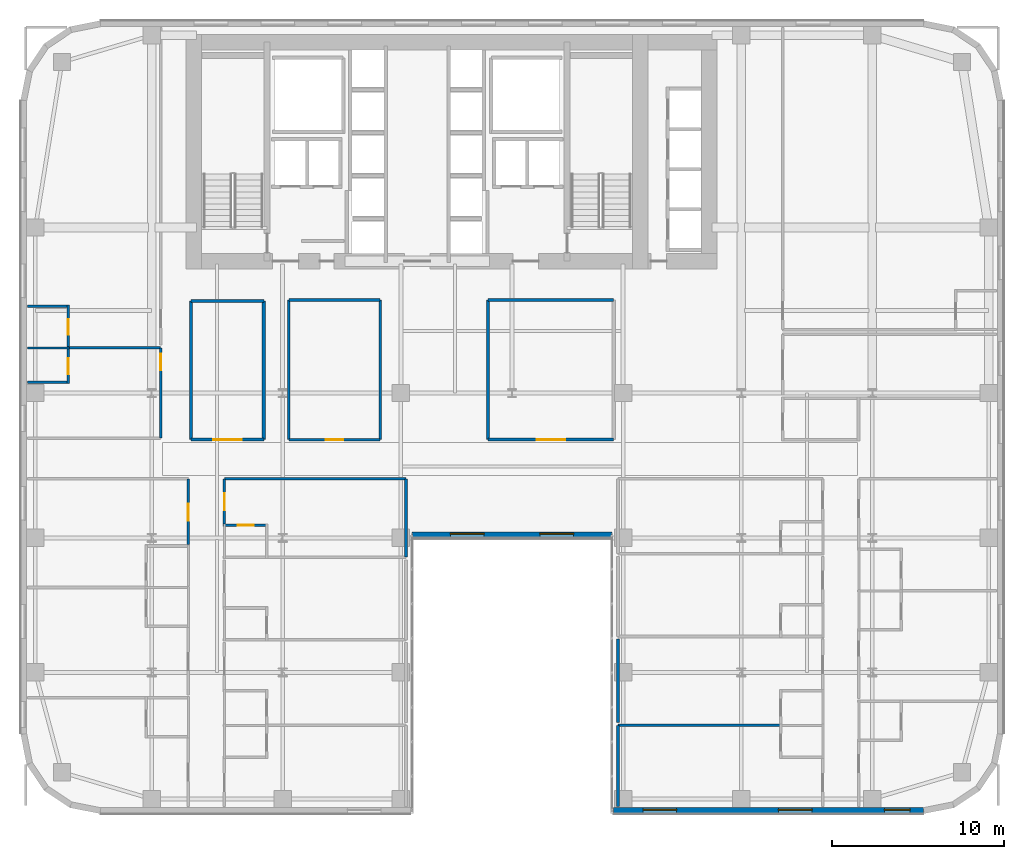
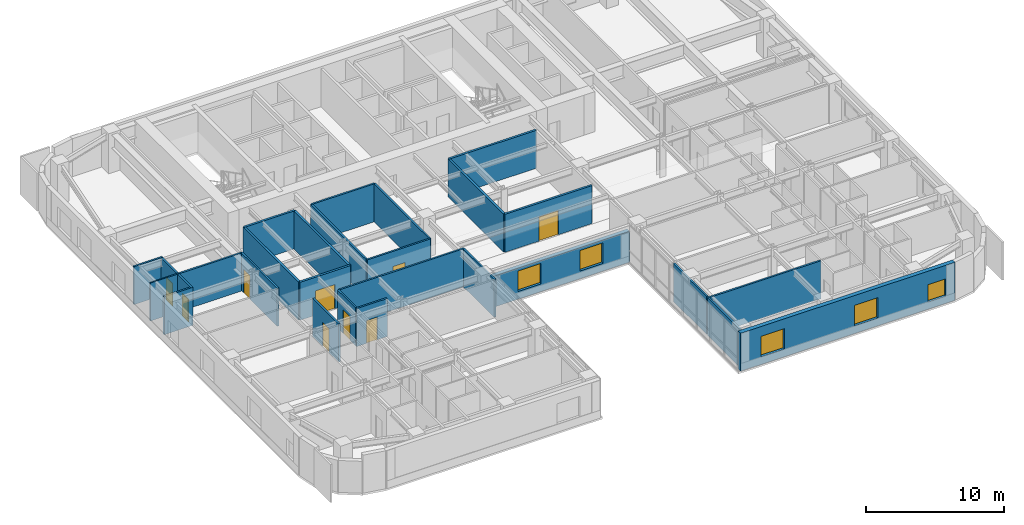
# One storey, part 15 of 25: 28 walls, 9 doors, 5 windows, 14 openings.
"""IFC4 building model written with IfcOpenShell, lengths in metres."""

from ifc_helpers import new_model, si_unit, direction, frame, frame_2d, origin, place, context, subcontext, project, spatial, rectangle, extrude, source, transform, mapped, material, layer, layer_set, type_object, type_shapes, element, fill, save


model = new_model("IFC4")

# Units and contexts
model_context = context("Model", 3, precision=1e-05, world=origin(), true_north=direction((0.0, 1.0)))
body_context = subcontext(model_context, "Body", "Model", "MODEL_VIEW")
ifc_project = project(units=[si_unit("LENGTHUNIT", "METRE"), si_unit("AREAUNIT", "SQUARE_METRE"), si_unit("VOLUMEUNIT", "CUBIC_METRE"), si_unit("PLANEANGLEUNIT", "RADIAN"), si_unit("MASSUNIT", "GRAM", prefix="KILO")], contexts=[model_context])

# Site, building, storey
site_placement = place(None, origin())
site = spatial("IfcSite", under=ifc_project, at=site_placement, CompositionType="ELEMENT")
building_placement = place(site_placement, origin())
building = spatial("IfcBuilding", under=site, at=building_placement, Name="Tolvann Quenvar Hotel", CompositionType="ELEMENT")
storey_placement = place(building_placement, frame((0.0, 0.0, 46.199951171875)))
storey = spatial("IfcBuildingStorey", under=building, at=storey_placement, Name="L10", CompositionType="ELEMENT", Elevation=46.199951171875)

# Wall, openings, windows
ifc_material_1 = material(Name="Kiln-fired red and buff architectural clay brickwork and terracotta masonry", Category="masonry")
ifc_layer_1 = layer(ifc_material_1, 0.35009765625)
ifc_layer_set_1 = layer_set([ifc_layer_1], Name="Kiln-fired red and buff architectural clay brickwork and terracotta masonry")
wall_type_1 = type_object("IfcWallType", Name="WALL_EXT_BRICK_350", PredefinedType="SOLIDWALL", material=ifc_layer_set_1)
wall_1_placement = place(storey_placement, frame((22.7099609375, 16.175048828125, 0.0), z_axis=(0.0, 0.0, 1.0), x_axis=(1.0, 0.0, 0.0)))
wall_1 = element("IfcWall", 1, at=wall_1_placement, inside=storey, type_object=wall_type_1, Name="Exterior Chicago Brick Wall L10-E06", PredefinedType="SOLIDWALL", context=body_context, shape_type="SweptSolid", body=[
    extrude(rectangle(XDim=11.580078125, YDim=0.35009765625, at=frame_2d((5.7900390625, 0.0))), origin(), (0.0, 0.0, 1.0), 2.748046875),
])
opening_1_placement = place(wall_1_placement, frame((2.219970703125, 0.0, 0.679931640625)))
opening_1 = element("IfcOpeningElement", 2, at=opening_1_placement, cuts=wall_1, Name="Opening W-10", PredefinedType="OPENING", context=body_context, shape_type="SweptSolid", body=[
    extrude(rectangle(XDim=1.949951171875, YDim=1.820068359375, at=frame_2d((0.97509765625, 0.91015625))), frame((0.0, 0.18505859375, 0.0), z_axis=(0.0, -1.0, 0.0), x_axis=(1.0, 0.0, 0.0)), (0.0, 0.0, 1.0), 0.3701171875),
])
opening_2_placement = place(wall_1_placement, frame((7.409912109375, 0.0, 0.679931640625)))
opening_2 = element("IfcOpeningElement", 3, at=opening_2_placement, cuts=wall_1, Name="Opening W-10", PredefinedType="OPENING", context=body_context, shape_type="SweptSolid", body=[
    extrude(rectangle(XDim=1.949951171875, YDim=1.820068359375, at=frame_2d((0.97509765625, 0.91015625))), frame((0.0, 0.18505859375, 0.0), z_axis=(0.0, -1.0, 0.0), x_axis=(1.0, 0.0, 0.0)), (0.0, 0.0, 1.0), 0.3701171875),
])
ifc_material_2 = material(Name="Thermally broken bronze-anodised aluminium frame with double low-E glazing", Category="aluminium")
window_type_1 = type_object("IfcWindowType", Name="WIN_CLB_1950x1850", PartitioningType="DOUBLE_PANEL_VERTICAL", PredefinedType="WINDOW", material=ifc_material_2)
shared_shape_1 = source(origin(), body_context, "Body", "SweptSolid", [
    extrude(rectangle(XDim=1.949951171875, YDim=1.820068359375, at=frame_2d((0.97509765625, 0.91015625))), frame((0.0, 0.090087890625, 0.0), z_axis=(0.0, -1.0, 0.0), x_axis=(1.0, 0.0, 0.0)), (0.0, 0.0, 1.0), 0.06005859375),
])
type_shapes(window_type_1, [shared_shape_1])
window_1_placement = place(opening_1_placement, origin())
window_1 = element("IfcWindow", 4, at=window_1_placement, inside=storey, type_object=window_type_1, Name="Chicago Window W-10 (EW-L10-E06-W01)", OverallHeight=1.820068359375, OverallWidth=1.949951171875, PartitioningType="DOUBLE_PANEL_VERTICAL", PredefinedType="WINDOW", context=body_context, shape_type="MappedRepresentation", body=[
    mapped(shared_shape_1, transform((0.0, 0.0, 0.0), x_axis=(1.0, 0.0, 0.0), y_axis=(0.0, 1.0, 0.0), z_axis=(0.0, 0.0, 1.0), scale=1.0)),
])
fill(opening_1, window_1)
window_2_placement = place(opening_2_placement, origin())
window_2 = element("IfcWindow", 5, at=window_2_placement, inside=storey, type_object=window_type_1, Name="Chicago Window W-10 (EW-L10-E06-W02)", OverallHeight=1.820068359375, OverallWidth=1.949951171875, PartitioningType="DOUBLE_PANEL_VERTICAL", PredefinedType="WINDOW", context=body_context, shape_type="MappedRepresentation", body=[
    mapped(shared_shape_1, transform((0.0, 0.0, 0.0), x_axis=(1.0, 0.0, 0.0), y_axis=(0.0, 1.0, 0.0), z_axis=(0.0, 0.0, 1.0), scale=1.0)),
])
fill(opening_2, window_2)

wall_2_placement = place(storey_placement, frame((34.375, 0.175048828125, 0.0), z_axis=(0.0, 0.0, 1.0), x_axis=(1.0, 0.0, 0.0)))
wall_2 = element("IfcWall", 6, at=wall_2_placement, inside=storey, type_object=wall_type_1, Name="Exterior Chicago Brick Wall L10-E08", PredefinedType="SOLIDWALL", context=body_context, shape_type="SweptSolid", body=[
    extrude(rectangle(XDim=18.0078125, YDim=0.35009765625, at=frame_2d((9.00390625, 0.0))), origin(), (0.0, 0.0, 1.0), 3.3701171875),
])
opening_3_placement = place(wall_2_placement, frame((1.72607421875, 0.0, 0.679931640625)))
opening_3 = element("IfcOpeningElement", 7, at=opening_3_placement, cuts=wall_2, Name="Opening W-10", PredefinedType="OPENING", context=body_context, shape_type="SweptSolid", body=[
    extrude(rectangle(XDim=1.949951171875, YDim=1.820068359375, at=frame_2d((0.97509765625, 0.91015625))), frame((0.0, 0.18505859375, 0.0), z_axis=(0.0, -1.0, 0.0), x_axis=(1.0, 0.0, 0.0)), (0.0, 0.0, 1.0), 0.3701171875),
])
opening_4_placement = place(wall_2_placement, frame((9.580078125, 0.0, 0.679931640625)))
opening_4 = element("IfcOpeningElement", 8, at=opening_4_placement, cuts=wall_2, Name="Opening W-10", PredefinedType="OPENING", context=body_context, shape_type="SweptSolid", body=[
    extrude(rectangle(XDim=1.949951171875, YDim=1.820068359375, at=frame_2d((0.97509765625, 0.91015625))), frame((0.0, 0.18505859375, 0.0), z_axis=(0.0, -1.0, 0.0), x_axis=(1.0, 0.0, 0.0)), (0.0, 0.0, 1.0), 0.3701171875),
])
opening_5_placement = place(wall_2_placement, frame((15.72509765625, 0.0, 0.6201171875)))
opening_5 = element("IfcOpeningElement", 9, at=opening_5_placement, cuts=wall_2, Name="Opening W-08", PredefinedType="OPENING", context=body_context, shape_type="SweptSolid", body=[
    extrude(rectangle(XDim=1.5, YDim=1.550048828125, at=frame_2d((0.75, 0.77490234375))), frame((0.0, 0.18505859375, 0.0), z_axis=(0.0, -1.0, 0.0), x_axis=(1.0, 0.0, 0.0)), (0.0, 0.0, 1.0), 0.3701171875),
])
window_type_2 = type_object("IfcWindowType", Name="WIN_COR_1500x2050", PartitioningType="SINGLE_PANEL", PredefinedType="WINDOW", material=ifc_material_2)
shared_shape_2 = source(origin(), body_context, "Body", "SweptSolid", [
    extrude(rectangle(XDim=1.5, YDim=1.550048828125, at=frame_2d((0.75, 0.77490234375))), frame((0.0, 0.090087890625, 0.0), z_axis=(0.0, -1.0, 0.0), x_axis=(1.0, 0.0, 0.0)), (0.0, 0.0, 1.0), 0.06005859375),
])
type_shapes(window_type_2, [shared_shape_2])
window_3_placement = place(opening_5_placement, origin())
window_3 = element("IfcWindow", 10, at=window_3_placement, inside=storey, type_object=window_type_2, Name="Chicago Window W-08 (EW-L10-E08-WD03)", OverallHeight=1.550048828125, OverallWidth=1.5, PartitioningType="SINGLE_PANEL", PredefinedType="WINDOW", context=body_context, shape_type="MappedRepresentation", body=[
    mapped(shared_shape_2, transform((0.0, 0.0, 0.0), x_axis=(1.0, 0.0, 0.0), y_axis=(0.0, 1.0, 0.0), z_axis=(0.0, 0.0, 1.0), scale=1.0)),
])
fill(opening_5, window_3)
window_4_placement = place(opening_3_placement, origin())
window_4 = element("IfcWindow", 11, at=window_4_placement, inside=storey, type_object=window_type_1, Name="Chicago Window W-10 (EW-L10-E08-W01)", OverallHeight=1.820068359375, OverallWidth=1.949951171875, PartitioningType="DOUBLE_PANEL_VERTICAL", PredefinedType="WINDOW", context=body_context, shape_type="MappedRepresentation", body=[
    mapped(shared_shape_1, transform((0.0, 0.0, 0.0), x_axis=(1.0, 0.0, 0.0), y_axis=(0.0, 1.0, 0.0), z_axis=(0.0, 0.0, 1.0), scale=1.0)),
])
fill(opening_3, window_4)
window_5_placement = place(opening_4_placement, origin())
window_5 = element("IfcWindow", 12, at=window_5_placement, inside=storey, type_object=window_type_1, Name="Chicago Window W-10 (EW-L10-E08-W02)", OverallHeight=1.820068359375, OverallWidth=1.949951171875, PartitioningType="DOUBLE_PANEL_VERTICAL", PredefinedType="WINDOW", context=body_context, shape_type="MappedRepresentation", body=[
    mapped(shared_shape_1, transform((0.0, 0.0, 0.0), x_axis=(1.0, 0.0, 0.0), y_axis=(0.0, 1.0, 0.0), z_axis=(0.0, 0.0, 1.0), scale=1.0)),
])
fill(opening_4, window_5)

# Wall, opening, door
ifc_material_3 = material(Name="Acoustic twin-stud fire-rated gypsum plasterboard partition")
ifc_layer_2 = layer(ifc_material_3, 0.179931640625)
ifc_layer_set_2 = layer_set([ifc_layer_2], Name="Acoustic twin-stud fire-rated gypsum plasterboard partition")
wall_type_2 = type_object("IfcWallType", Name="WALL_PART_ACOUSTIC_180", PredefinedType="PARTITIONING", material=ifc_layer_set_2)
wall_3_placement = place(storey_placement, frame((9.8798828125, 21.699951171875, 0.0), z_axis=(0.0, 0.0, 1.0), x_axis=(1.0, 0.0, 0.0)))
wall_3 = element("IfcWall", 13, at=wall_3_placement, inside=storey, type_object=wall_type_2, Name="Interior Partition PT-SPC-L10-MSP-W-S", PredefinedType="PARTITIONING", context=body_context, shape_type="SweptSolid", body=[
    extrude(rectangle(XDim=4.22021484375, YDim=0.179931640625, at=frame_2d((2.110107421875, 0.0))), origin(), (0.0, 0.0, 1.0), 3.3701171875),
])
opening_6_placement = place(wall_3_placement, frame((1.284912109375, 0.0, 0.0)))
opening_6 = element("IfcOpeningElement", 14, at=opening_6_placement, cuts=wall_3, Name="Opening AD-01", PredefinedType="OPENING", context=body_context, shape_type="SweptSolid", body=[
    extrude(rectangle(XDim=1.64990234375, YDim=2.14990234375, at=frame_2d((0.824951171875, 1.074951171875))), frame((0.0, 0.10009765625, 0.0), z_axis=(0.0, -1.0, 0.0), x_axis=(1.0, 0.0, 0.0)), (0.0, 0.0, 1.0), 0.199951171875),
])
ifc_material_4 = material(Name="Solid-core American oak acoustic fire door leaf in steel frame", Category="steel")
door_type_1 = type_object("IfcDoorType", Name="DOOR_SALON_1650", OperationType="NOTDEFINED", PredefinedType="DOOR", material=ifc_material_4)
shared_shape_3 = source(origin(), body_context, "Body", "SweptSolid", [
    extrude(rectangle(XDim=1.64990234375, YDim=2.14990234375, at=frame_2d((0.824951171875, 1.074951171875))), frame((0.0, 0.02490234375, 0.0), z_axis=(0.0, -1.0, 0.0), x_axis=(1.0, 0.0, 0.0)), (0.0, 0.0, 1.0), 0.050048828125),
])
type_shapes(door_type_1, [shared_shape_3])
door_1_placement = place(opening_6_placement, origin())
door_1 = element("IfcDoor", 15, at=door_1_placement, inside=storey, type_object=door_type_1, Name="Interior Door DOOR-SPC-L10-MSP-W", OperationType="DOUBLE_DOOR_SINGLE_SWING", OverallHeight=2.14990234375, OverallWidth=1.64990234375, PredefinedType="DOOR", context=body_context, shape_type="MappedRepresentation", body=[
    mapped(shared_shape_3, transform((0.0, 0.0, 0.0), x_axis=(1.0, 0.0, 0.0), y_axis=(0.0, 1.0, 0.0), z_axis=(0.0, 0.0, 1.0), scale=1.0)),
])
fill(opening_6, door_1)

# Walls
wall_4_placement = place(storey_placement, frame((9.8798828125, 29.75, 0.0), z_axis=(0.0, 0.0, 1.0), x_axis=(1.0, 0.0, 0.0)))
element("IfcWall", 16, at=wall_4_placement, inside=storey, type_object=wall_type_2, Name="Interior Partition PT-SPC-L10-MSP-W-N", PredefinedType="PARTITIONING", context=body_context, shape_type="SweptSolid", body=[
    extrude(rectangle(XDim=4.22021484375, YDim=0.179931640625, at=frame_2d((2.110107421875, 0.0))), origin(), (0.0, 0.0, 1.0), 3.3701171875),
])
for number, where, z_axis, x_axis, name in (
    (17, (9.8798828125, 21.699951171875, 0.0), (0.0, 0.0, 1.0), (0.0, 1.0, 0.0), "Interior Partition PT-SPC-L10-MSP-W-W"),
    (18, (14.10009765625, 21.699951171875, 0.0), (0.0, 0.0, 1.0), (0.0, 1.0, 0.0), "Interior Partition PT-SPC-L10-MSP-W-E"),
):
    element("IfcWall", number, at=place(storey_placement, frame(where, z_axis=z_axis, x_axis=x_axis)), inside=storey, type_object=wall_type_2, Name=name, PredefinedType="PARTITIONING", context=body_context, shape_type="SweptSolid", body=[
        extrude(rectangle(XDim=8.050048828125, YDim=0.179931640625, at=frame_2d((4.02490234375, 0.0))), origin(), (0.0, 0.0, 1.0), 3.3701171875),
    ])

# Wall, opening, door
wall_5_placement = place(storey_placement, frame((27.10009765625, 21.699951171875, 0.0), z_axis=(0.0, 0.0, 1.0), x_axis=(1.0, 0.0, 0.0)))
wall_5 = element("IfcWall", 19, at=wall_5_placement, inside=storey, type_object=wall_type_2, Name="Interior Partition PT-SPC-L10-MSP-C-S", PredefinedType="PARTITIONING", context=body_context, shape_type="SweptSolid", body=[
    extrude(rectangle(XDim=7.2998046875, YDim=0.179931640625, at=frame_2d((3.64990234375, 0.0))), origin(), (0.0, 0.0, 1.0), 3.3701171875),
])
opening_7_placement = place(wall_5_placement, frame((2.824951171875, 0.0, 0.0)))
opening_7 = element("IfcOpeningElement", 20, at=opening_7_placement, cuts=wall_5, Name="Opening AD-01", PredefinedType="OPENING", context=body_context, shape_type="SweptSolid", body=[
    extrude(rectangle(XDim=1.64990234375, YDim=2.14990234375, at=frame_2d((0.824951171875, 1.074951171875))), frame((0.0, 0.10009765625, 0.0), z_axis=(0.0, -1.0, 0.0), x_axis=(1.0, 0.0, 0.0)), (0.0, 0.0, 1.0), 0.199951171875),
])
door_2_placement = place(opening_7_placement, origin())
door_2 = element("IfcDoor", 21, at=door_2_placement, inside=storey, type_object=door_type_1, Name="Interior Door DOOR-SPC-L10-MSP-C", OperationType="DOUBLE_DOOR_SINGLE_SWING", OverallHeight=2.14990234375, OverallWidth=1.64990234375, PredefinedType="DOOR", context=body_context, shape_type="MappedRepresentation", body=[
    mapped(shared_shape_3, transform((0.0, 0.0, 0.0), x_axis=(1.0, 0.0, 0.0), y_axis=(0.0, 1.0, 0.0), z_axis=(0.0, 0.0, 1.0), scale=1.0)),
])
fill(opening_7, door_2)

# Walls
wall_6_placement = place(storey_placement, frame((27.10009765625, 29.800048828125, 0.0), z_axis=(0.0, 0.0, 1.0), x_axis=(1.0, 0.0, 0.0)))
element("IfcWall", 22, at=wall_6_placement, inside=storey, type_object=wall_type_2, Name="Interior Partition PT-SPC-L10-MSP-C-N", PredefinedType="PARTITIONING", context=body_context, shape_type="SweptSolid", body=[
    extrude(rectangle(XDim=7.2998046875, YDim=0.179931640625, at=frame_2d((3.64990234375, 0.0))), origin(), (0.0, 0.0, 1.0), 3.3701171875),
])
wall_7_placement = place(storey_placement, frame((27.10009765625, 21.699951171875, 0.0), z_axis=(0.0, 0.0, 1.0), x_axis=(0.0, 1.0, 0.0)))
element("IfcWall", 23, at=wall_7_placement, inside=storey, type_object=wall_type_2, Name="Interior Partition PT-SPC-L10-MSP-C-W", PredefinedType="PARTITIONING", context=body_context, shape_type="SweptSolid", body=[
    extrude(rectangle(XDim=8.10009765625, YDim=0.179931640625, at=frame_2d((4.050048828125, 0.0))), origin(), (0.0, 0.0, 1.0), 3.3701171875),
])
ifc_material_5 = material(Name="Moisture-resistant acoustic plumbing wall assembly")
ifc_layer_3 = layer(ifc_material_5, 0.1201171875)
ifc_layer_set_3 = layer_set([ifc_layer_3], Name="Moisture-resistant acoustic plumbing wall assembly")
wall_type_3 = type_object("IfcWallType", Name="WALL_PART_BATH_120", PredefinedType="PLUMBINGWALL", material=ifc_layer_set_3)
wall_8_placement = place(storey_placement, frame((0.405029296875, 27.02001953125, 0.0), z_axis=(0.0, 0.0, 1.0), x_axis=(1.0, 0.0, 0.0)))
element("IfcWall", 24, at=wall_8_placement, inside=storey, type_object=wall_type_3, Name="Non-Rated Plumbing Partition PT-SPC-L10-ENS-NW01-N", PredefinedType="PLUMBINGWALL", context=body_context, shape_type="SweptSolid", body=[
    extrude(rectangle(XDim=2.4150390625, YDim=0.1201171875, at=frame_2d((1.20751953125, 0.0))), origin(), (0.0, 0.0, 1.0), 3.3701171875),
])

# Wall, opening, door
ifc_layer_4 = layer(ifc_material_3, 0.14990234375)
ifc_layer_set_4 = layer_set([ifc_layer_4], Name="Acoustic twin-stud fire-rated gypsum plasterboard partition")
wall_type_4 = type_object("IfcWallType", Name="WALL_PART_SUITE_150", PredefinedType="PARTITIONING", material=ifc_layer_set_4)
wall_9_placement = place(storey_placement, frame((11.75, 16.72998046875, 0.0), z_axis=(0.0, 0.0, 1.0), x_axis=(1.0, 0.0, 0.0)))
wall_9 = element("IfcWall", 25, at=wall_9_placement, inside=storey, type_object=wall_type_4, Name="Interior Partition PT-SPC-L10-ENS-WI04-N", PredefinedType="PARTITIONING", context=body_context, shape_type="SweptSolid", body=[
    extrude(rectangle(XDim=2.590087890625, YDim=0.14990234375, at=frame_2d((1.294921875, 0.0))), origin(), (0.0, 0.0, 1.0), 3.3701171875),
])
opening_8_placement = place(wall_9_placement, frame((0.8349609375, 0.0, 0.0)))
opening_8 = element("IfcOpeningElement", 26, at=opening_8_placement, cuts=wall_9, Name="Opening WD-01", PredefinedType="OPENING", context=body_context, shape_type="SweptSolid", body=[
    extrude(rectangle(XDim=0.919921875, YDim=2.010009765625, at=frame_2d((0.4599609375, 1.0048828125))), frame((0.0, 0.0849609375, 0.0), z_axis=(0.0, -1.0, 0.0), x_axis=(1.0, 0.0, 0.0)), (0.0, 0.0, 1.0), 0.169921875),
])
door_type_2 = type_object("IfcDoorType", Name="DOOR_WC_920", OperationType="NOTDEFINED", PredefinedType="DOOR", material=ifc_material_4)
shared_shape_4 = source(origin(), body_context, "Body", "SweptSolid", [
    extrude(rectangle(XDim=0.919921875, YDim=2.010009765625, at=frame_2d((0.4599609375, 1.0048828125))), frame((0.0, 0.02490234375, 0.0), z_axis=(0.0, -1.0, 0.0), x_axis=(1.0, 0.0, 0.0)), (0.0, 0.0, 1.0), 0.050048828125),
])
type_shapes(door_type_2, [shared_shape_4])
door_3_placement = place(opening_8_placement, origin())
door_3 = element("IfcDoor", 27, at=door_3_placement, inside=storey, type_object=door_type_2, Name="Interior Door DOOR-SPC-L10-ENS-WI04", OperationType="SINGLE_SWING_RIGHT", OverallHeight=2.010009765625, OverallWidth=0.919921875, PredefinedType="DOOR", context=body_context, shape_type="MappedRepresentation", body=[
    mapped(shared_shape_4, transform((0.0, 0.0, 0.0), x_axis=(1.0, 0.0, 0.0), y_axis=(0.0, 1.0, 0.0), z_axis=(0.0, 0.0, 1.0), scale=1.0)),
])
fill(opening_8, door_3)

wall_10_placement = place(storey_placement, frame((2.75, 24.958984375, 0.0), z_axis=(0.0, 0.0, 1.0), x_axis=(0.0, 1.0, 0.0)))
wall_10 = element("IfcWall", 28, at=wall_10_placement, inside=storey, type_object=wall_type_4, Name="Interior Partition PT-SPC-L10-ENS-NW01-ENT", PredefinedType="PARTITIONING", context=body_context, shape_type="SweptSolid", body=[
    extrude(rectangle(XDim=2.131103515625, YDim=0.14990234375, at=frame_2d((1.0654296875, 0.0))), origin(), (0.0, 0.0, 1.0), 3.3701171875),
])
opening_9_placement = place(wall_10_placement, frame((0.535400390625, 0.0, 0.0)))
opening_9 = element("IfcOpeningElement", 29, at=opening_9_placement, cuts=wall_10, Name="Opening WD-01", PredefinedType="OPENING", context=body_context, shape_type="SweptSolid", body=[
    extrude(rectangle(XDim=0.919921875, YDim=2.010009765625, at=frame_2d((0.4599609375, 1.0048828125))), frame((0.0, 0.0849609375, 0.0), z_axis=(0.0, -1.0, 0.0), x_axis=(1.0, 0.0, 0.0)), (0.0, 0.0, 1.0), 0.169921875),
])
door_4_placement = place(opening_9_placement, origin())
door_4 = element("IfcDoor", 30, at=door_4_placement, inside=storey, type_object=door_type_2, Name="Interior Door DOOR-SPC-L10-ENS-NW01", OperationType="SINGLE_SWING_RIGHT", OverallHeight=2.010009765625, OverallWidth=0.919921875, PredefinedType="DOOR", context=body_context, shape_type="MappedRepresentation", body=[
    mapped(shared_shape_4, transform((0.0, 0.0, 0.0), x_axis=(1.0, 0.0, 0.0), y_axis=(0.0, 1.0, 0.0), z_axis=(0.0, 0.0, 1.0), scale=1.0)),
])
fill(opening_9, door_4)

# Wall
wall_11_placement = place(storey_placement, frame((0.405029296875, 25.029052734375, 0.0), z_axis=(0.0, 0.0, 1.0), x_axis=(1.0, 0.0, 0.0)))
element("IfcWall", 31, at=wall_11_placement, inside=storey, type_object=wall_type_4, Name="Interior Partition PT-SPC-L10-ENS-NW01-S", PredefinedType="PARTITIONING", context=body_context, shape_type="SweptSolid", body=[
    extrude(rectangle(XDim=2.4150390625, YDim=0.14990234375, at=frame_2d((1.20751953125, 0.0))), origin(), (0.0, 0.0, 1.0), 3.3701171875),
])

# Wall, opening, door
wall_12_placement = place(storey_placement, frame((2.75, 27.110107421875, 0.0), z_axis=(0.0, 0.0, 1.0), x_axis=(0.0, 1.0, 0.0)))
wall_12 = element("IfcWall", 32, at=wall_12_placement, inside=storey, type_object=wall_type_4, Name="Interior Partition PT-SPC-L10-ENS-NW02-ENT", PredefinedType="PARTITIONING", context=body_context, shape_type="SweptSolid", body=[
    extrude(rectangle(XDim=2.389892578125, YDim=0.14990234375, at=frame_2d((1.19482421875, 0.0))), origin(), (0.0, 0.0, 1.0), 3.3701171875),
])
opening_10_placement = place(wall_12_placement, frame((0.6650390625, 0.0, 0.0)))
opening_10 = element("IfcOpeningElement", 33, at=opening_10_placement, cuts=wall_12, Name="Opening WD-01", PredefinedType="OPENING", context=body_context, shape_type="SweptSolid", body=[
    extrude(rectangle(XDim=0.919921875, YDim=2.010009765625, at=frame_2d((0.4599609375, 1.0048828125))), frame((0.0, 0.0849609375, 0.0), z_axis=(0.0, -1.0, 0.0), x_axis=(1.0, 0.0, 0.0)), (0.0, 0.0, 1.0), 0.169921875),
])
door_5_placement = place(opening_10_placement, origin())
door_5 = element("IfcDoor", 34, at=door_5_placement, inside=storey, type_object=door_type_2, Name="Interior Door DOOR-SPC-L10-ENS-NW02", OperationType="SINGLE_SWING_LEFT", OverallHeight=2.010009765625, OverallWidth=0.919921875, PredefinedType="DOOR", context=body_context, shape_type="MappedRepresentation", body=[
    mapped(shared_shape_4, transform((0.0, 0.0, 0.0), x_axis=(1.0, 0.0, 0.0), y_axis=(0.0, 1.0, 0.0), z_axis=(0.0, 0.0, 1.0), scale=1.0)),
])
fill(opening_10, door_5)

# Wall
wall_13_placement = place(storey_placement, frame((0.405029296875, 29.429931640625, 0.0), z_axis=(0.0, 0.0, 1.0), x_axis=(1.0, 0.0, 0.0)))
element("IfcWall", 35, at=wall_13_placement, inside=storey, type_object=wall_type_4, Name="Interior Partition PT-SPC-L10-ENS-NW02-N", PredefinedType="PARTITIONING", context=body_context, shape_type="SweptSolid", body=[
    extrude(rectangle(XDim=2.4150390625, YDim=0.14990234375, at=frame_2d((1.20751953125, 0.0))), origin(), (0.0, 0.0, 1.0), 3.3701171875),
])

# Wall, opening, door
wall_14_placement = place(storey_placement, frame((9.72998046875, 15.610107421875, 0.0), z_axis=(0.0, 0.0, 1.0), x_axis=(0.0, 1.0, 0.0)))
wall_14 = element("IfcWall", 36, at=wall_14_placement, inside=storey, type_object=wall_type_4, Name="Interior Partition PT-SPC-L10-RM-WO03-ENT", PredefinedType="PARTITIONING", context=body_context, shape_type="SweptSolid", body=[
    extrude(rectangle(XDim=3.809814453125, YDim=0.14990234375, at=frame_2d((1.90478515625, 0.0))), origin(), (0.0, 0.0, 1.0), 3.3701171875),
])
opening_11_placement = place(wall_14_placement, frame((1.39501953125, 0.0, 0.0)))
opening_11 = element("IfcOpeningElement", 37, at=opening_11_placement, cuts=wall_14, Name="Opening SD-01", PredefinedType="OPENING", context=body_context, shape_type="SweptSolid", body=[
    extrude(rectangle(XDim=0.97998046875, YDim=2.1201171875, at=frame_2d((0.489990234375, 1.06005859375))), frame((0.0, 0.0849609375, 0.0), z_axis=(0.0, -1.0, 0.0), x_axis=(1.0, 0.0, 0.0)), (0.0, 0.0, 1.0), 0.169921875),
])
door_type_3 = type_object("IfcDoorType", Name="DOOR_SUITE_980", OperationType="NOTDEFINED", PredefinedType="DOOR", material=ifc_material_4)
shared_shape_5 = source(origin(), body_context, "Body", "SweptSolid", [
    extrude(rectangle(XDim=0.97998046875, YDim=2.1201171875, at=frame_2d((0.489990234375, 1.06005859375))), frame((0.0, 0.02490234375, 0.0), z_axis=(0.0, -1.0, 0.0), x_axis=(1.0, 0.0, 0.0)), (0.0, 0.0, 1.0), 0.050048828125),
])
type_shapes(door_type_3, [shared_shape_5])
door_6_placement = place(opening_11_placement, origin())
door_6 = element("IfcDoor", 38, at=door_6_placement, inside=storey, type_object=door_type_3, Name="Interior Door DOOR-SPC-L10-RM-WO03", OperationType="SINGLE_SWING_LEFT", OverallHeight=2.1201171875, OverallWidth=0.97998046875, PredefinedType="DOOR", context=body_context, shape_type="MappedRepresentation", body=[
    mapped(shared_shape_5, transform((0.0, 0.0, 0.0), x_axis=(1.0, 0.0, 0.0), y_axis=(0.0, 1.0, 0.0), z_axis=(0.0, 0.0, 1.0), scale=1.0)),
])
fill(opening_11, door_6)

wall_15_placement = place(storey_placement, frame((11.820068359375, 16.81005859375, 0.0), z_axis=(0.0, 0.0, 1.0), x_axis=(0.0, 1.0, 0.0)))
wall_15 = element("IfcWall", 39, at=wall_15_placement, inside=storey, type_object=wall_type_4, Name="Interior Partition PT-SPC-L10-RM-WI04-ENT", PredefinedType="PARTITIONING", context=body_context, shape_type="SweptSolid", body=[
    extrude(rectangle(XDim=2.60986328125, YDim=0.14990234375, at=frame_2d((1.304931640625, 0.0))), origin(), (0.0, 0.0, 1.0), 3.3701171875),
])
opening_12_placement = place(wall_15_placement, frame((0.794921875, 0.0, 0.0)))
opening_12 = element("IfcOpeningElement", 40, at=opening_12_placement, cuts=wall_15, Name="Opening SD-01", PredefinedType="OPENING", context=body_context, shape_type="SweptSolid", body=[
    extrude(rectangle(XDim=0.97998046875, YDim=2.1201171875, at=frame_2d((0.489990234375, 1.06005859375))), frame((0.0, 0.0849609375, 0.0), z_axis=(0.0, -1.0, 0.0), x_axis=(1.0, 0.0, 0.0)), (0.0, 0.0, 1.0), 0.169921875),
])
door_7_placement = place(opening_12_placement, origin())
door_7 = element("IfcDoor", 41, at=door_7_placement, inside=storey, type_object=door_type_3, Name="Interior Door DOOR-SPC-L10-RM-WI04", OperationType="SINGLE_SWING_LEFT", OverallHeight=2.1201171875, OverallWidth=0.97998046875, PredefinedType="DOOR", context=body_context, shape_type="MappedRepresentation", body=[
    mapped(shared_shape_5, transform((0.0, 0.0, 0.0), x_axis=(1.0, 0.0, 0.0), y_axis=(0.0, 1.0, 0.0), z_axis=(0.0, 0.0, 1.0), scale=1.0)),
])
fill(opening_12, door_7)

# Walls
wall_16_placement = place(storey_placement, frame((22.35009765625, 14.8798828125, 0.0), z_axis=(0.0, 0.0, 1.0), x_axis=(0.0, 1.0, 0.0)))
element("IfcWall", 42, at=wall_16_placement, inside=storey, type_object=wall_type_4, Name="Interior Partition PT-SPC-L10-RM-WI04-E4", PredefinedType="PARTITIONING", context=body_context, shape_type="SweptSolid", body=[
    extrude(rectangle(XDim=4.5400390625, YDim=0.14990234375, at=frame_2d((2.27001953125, 0.0))), origin(), (0.0, 0.0, 1.0), 3.3701171875),
])
wall_17_placement = place(storey_placement, frame((11.820068359375, 19.419921875, 0.0), z_axis=(0.0, 0.0, 1.0), x_axis=(1.0, 0.0, 0.0)))
element("IfcWall", 43, at=wall_17_placement, inside=storey, type_object=wall_type_4, Name="Interior Partition PT-SPC-L10-RM-WI04-E5", PredefinedType="PARTITIONING", context=body_context, shape_type="SweptSolid", body=[
    extrude(rectangle(XDim=10.530029296875, YDim=0.14990234375, at=frame_2d((5.26513671875, 0.0))), origin(), (0.0, 0.0, 1.0), 3.3701171875),
])
wall_18_placement = place(storey_placement, frame((34.64990234375, 5.1201171875, 0.0), z_axis=(0.0, 0.0, 1.0), x_axis=(1.0, 0.0, 0.0)))
element("IfcWall", 44, at=wall_18_placement, inside=storey, type_object=wall_type_4, Name="Interior Partition PT-SPC-L10-RM-EI01-E5", PredefinedType="PARTITIONING", context=body_context, shape_type="SweptSolid", body=[
    extrude(rectangle(XDim=9.41015625, YDim=0.14990234375, at=frame_2d((4.705078125, 0.0))), origin(), (0.0, 0.0, 1.0), 3.3701171875),
])
wall_19_placement = place(storey_placement, frame((34.64990234375, 0.405029296875, 0.0), z_axis=(0.0, 0.0, 1.0), x_axis=(0.0, 1.0, 0.0)))
element("IfcWall", 45, at=wall_19_placement, inside=storey, type_object=wall_type_4, Name="Interior Partition PT-SPC-L10-RM-EI01-E6", PredefinedType="PARTITIONING", context=body_context, shape_type="SweptSolid", body=[
    extrude(rectangle(XDim=4.715087890625, YDim=0.14990234375, at=frame_2d((2.357421875, 0.0))), origin(), (0.0, 0.0, 1.0), 3.3701171875),
])
wall_20_placement = place(storey_placement, frame((34.64990234375, 5.280029296875, 0.0), z_axis=(0.0, 0.0, 1.0), x_axis=(0.0, 1.0, 0.0)))
element("IfcWall", 46, at=wall_20_placement, inside=storey, type_object=wall_type_4, Name="Interior Partition PT-SPC-L10-RM-EI02-E6", PredefinedType="PARTITIONING", context=body_context, shape_type="SweptSolid", body=[
    extrude(rectangle(XDim=4.840087890625, YDim=0.14990234375, at=frame_2d((2.419921875, 0.0))), origin(), (0.0, 0.0, 1.0), 3.3701171875),
])

# Wall, opening, door
wall_21_placement = place(storey_placement, frame((8.1201171875, 21.780029296875, 0.0), z_axis=(0.0, 0.0, 1.0), x_axis=(0.0, 1.0, 0.0)))
wall_21 = element("IfcWall", 47, at=wall_21_placement, inside=storey, type_object=wall_type_4, Name="Interior Partition PT-SPC-L10-RM-NW01-ENT", PredefinedType="PARTITIONING", context=body_context, shape_type="SweptSolid", body=[
    extrude(rectangle(XDim=5.239990234375, YDim=0.14990234375, at=frame_2d((2.6201171875, 0.0))), origin(), (0.0, 0.0, 1.0), 3.3701171875),
])
opening_13_placement = place(wall_21_placement, frame((3.929931640625, 0.0, 0.0)))
opening_13 = element("IfcOpeningElement", 48, at=opening_13_placement, cuts=wall_21, Name="Opening SD-01", PredefinedType="OPENING", context=body_context, shape_type="SweptSolid", body=[
    extrude(rectangle(XDim=0.97998046875, YDim=2.1201171875, at=frame_2d((0.489990234375, 1.06005859375))), frame((0.0, 0.0849609375, 0.0), z_axis=(0.0, -1.0, 0.0), x_axis=(1.0, 0.0, 0.0)), (0.0, 0.0, 1.0), 0.169921875),
])
door_8_placement = place(opening_13_placement, origin())
door_8 = element("IfcDoor", 49, at=door_8_placement, inside=storey, type_object=door_type_3, Name="Interior Door DOOR-SPC-L10-RM-NW01", OperationType="SINGLE_SWING_LEFT", OverallHeight=2.1201171875, OverallWidth=0.97998046875, PredefinedType="DOOR", context=body_context, shape_type="MappedRepresentation", body=[
    mapped(shared_shape_5, transform((0.0, 0.0, 0.0), x_axis=(1.0, 0.0, 0.0), y_axis=(0.0, 1.0, 0.0), z_axis=(0.0, 0.0, 1.0), scale=1.0)),
])
fill(opening_13, door_8)

# Wall
wall_22_placement = place(storey_placement, frame((2.77001953125, 27.02001953125, 0.0), z_axis=(0.0, 0.0, 1.0), x_axis=(1.0, 0.0, 0.0)))
element("IfcWall", 50, at=wall_22_placement, inside=storey, type_object=wall_type_4, Name="Interior Partition PT-SPC-L10-RM-NW01-E3", PredefinedType="PARTITIONING", context=body_context, shape_type="SweptSolid", body=[
    extrude(rectangle(XDim=5.35009765625, YDim=0.14990234375, at=frame_2d((2.675048828125, 0.0))), origin(), (0.0, 0.0, 1.0), 3.3701171875),
])

# Wall, opening, door
wall_23_placement = place(storey_placement, frame((15.550048828125, 21.699951171875, 0.0), z_axis=(0.0, 0.0, 1.0), x_axis=(1.0, 0.0, 0.0)))
wall_23 = element("IfcWall", 51, at=wall_23_placement, inside=storey, type_object=wall_type_4, Name="Interior Partition PT-SPC-L10-MSP-N-S", PredefinedType="PARTITIONING", context=body_context, shape_type="SweptSolid", body=[
    extrude(rectangle(XDim=5.300048828125, YDim=0.14990234375, at=frame_2d((2.64990234375, 0.0))), origin(), (0.0, 0.0, 1.0), 3.3701171875),
])
opening_14_placement = place(wall_23_placement, frame((2.139892578125, 0.0, 0.0)))
opening_14 = element("IfcOpeningElement", 52, at=opening_14_placement, cuts=wall_23, Name="Opening HD-01", PredefinedType="OPENING", context=body_context, shape_type="SweptSolid", body=[
    extrude(rectangle(XDim=1.02001953125, YDim=2.030029296875, at=frame_2d((0.510009765625, 1.01513671875))), frame((0.0, 0.0849609375, 0.0), z_axis=(0.0, -1.0, 0.0), x_axis=(1.0, 0.0, 0.0)), (0.0, 0.0, 1.0), 0.169921875),
])
ifc_material_6 = material(Name="Pressed galvanised steel fire-rated door set", Category="steel")
door_type_4 = type_object("IfcDoorType", Name="DOOR_BOH_1020", OperationType="NOTDEFINED", PredefinedType="DOOR", material=ifc_material_6)
shared_shape_6 = source(origin(), body_context, "Body", "SweptSolid", [
    extrude(rectangle(XDim=1.02001953125, YDim=2.030029296875, at=frame_2d((0.510009765625, 1.01513671875))), frame((0.0, 0.02490234375, 0.0), z_axis=(0.0, -1.0, 0.0), x_axis=(1.0, 0.0, 0.0)), (0.0, 0.0, 1.0), 0.050048828125),
])
type_shapes(door_type_4, [shared_shape_6])
door_9_placement = place(opening_14_placement, origin())
door_9 = element("IfcDoor", 53, at=door_9_placement, inside=storey, type_object=door_type_4, Name="Interior Door DOOR-SPC-L10-MSP-N", OperationType="SINGLE_SWING_LEFT", OverallHeight=2.030029296875, OverallWidth=1.02001953125, PredefinedType="DOOR", context=body_context, shape_type="MappedRepresentation", body=[
    mapped(shared_shape_6, transform((0.0, 0.0, 0.0), x_axis=(1.0, 0.0, 0.0), y_axis=(0.0, 1.0, 0.0), z_axis=(0.0, 0.0, 1.0), scale=1.0)),
])
fill(opening_14, door_9)

# Walls
wall_24_placement = place(storey_placement, frame((15.550048828125, 29.800048828125, 0.0), z_axis=(0.0, 0.0, 1.0), x_axis=(1.0, 0.0, 0.0)))
element("IfcWall", 54, at=wall_24_placement, inside=storey, type_object=wall_type_4, Name="Interior Partition PT-SPC-L10-MSP-N-N", PredefinedType="PARTITIONING", context=body_context, shape_type="SweptSolid", body=[
    extrude(rectangle(XDim=5.300048828125, YDim=0.14990234375, at=frame_2d((2.64990234375, 0.0))), origin(), (0.0, 0.0, 1.0), 3.3701171875),
])
for number, where, z_axis, x_axis, name in (
    (55, (15.550048828125, 21.699951171875, 0.0), (0.0, 0.0, 1.0), (0.0, 1.0, 0.0), "Interior Partition PT-SPC-L10-MSP-N-W"),
    (56, (20.85009765625, 21.699951171875, 0.0), (0.0, 0.0, 1.0), (0.0, 1.0, 0.0), "Interior Partition PT-SPC-L10-MSP-N-E"),
):
    element("IfcWall", number, at=place(storey_placement, frame(where, z_axis=z_axis, x_axis=x_axis)), inside=storey, type_object=wall_type_4, Name=name, PredefinedType="PARTITIONING", context=body_context, shape_type="SweptSolid", body=[
        extrude(rectangle(XDim=8.10009765625, YDim=0.14990234375, at=frame_2d((4.050048828125, 0.0))), origin(), (0.0, 0.0, 1.0), 3.3701171875),
    ])

save(model, "model.ifc")
